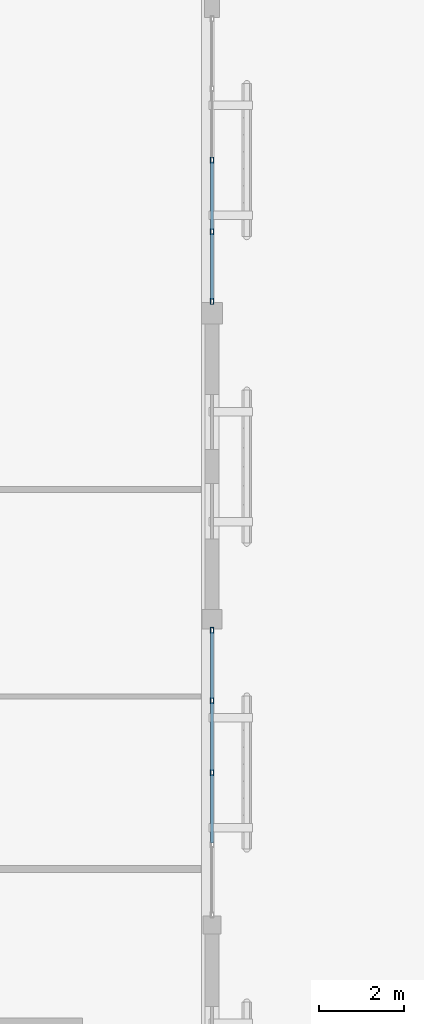
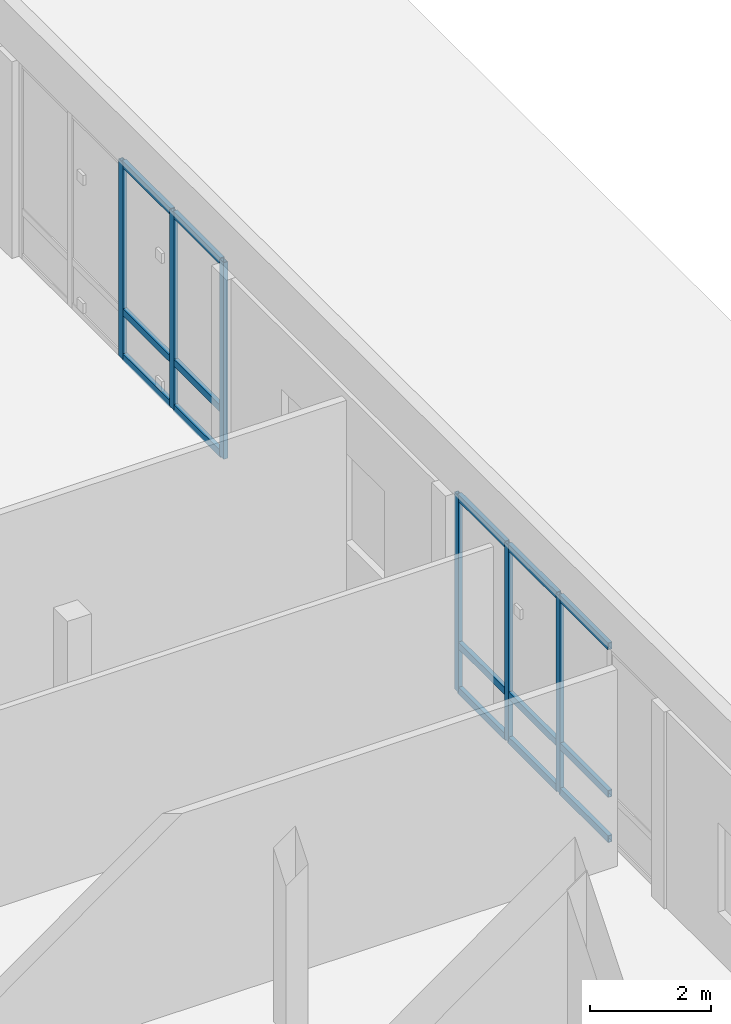
# One storey, part 3 of 11: 21 members, 2 elements without a shape of their own.
"""IFC4 building model written with IfcOpenShell, lengths in metres."""

from ifc_helpers import new_model, si_unit, direction, frame, origin, origin_2d, place, context, subcontext, project, spatial, hollow_rectangle, extrude, material, layer, layer_set, material_profile, profile_set, type_object, element, aggregate, save


model = new_model("IFC4")

# Units and contexts
model_context = context("Model", 3, precision=1e-05, world=origin(), true_north=direction((0.0, 1.0)))
body_context = subcontext(model_context, "Body", "Model", "MODEL_VIEW")
ifc_project = project(units=[si_unit("LENGTHUNIT", "METRE"), si_unit("AREAUNIT", "SQUARE_METRE"), si_unit("VOLUMEUNIT", "CUBIC_METRE"), si_unit("PLANEANGLEUNIT", "RADIAN"), si_unit("MASSUNIT", "GRAM", prefix="KILO")], contexts=[model_context])

# Site, building, storey
site_placement = place(None, origin())
site = spatial("IfcSite", under=ifc_project, at=site_placement, CompositionType="ELEMENT")
building_placement = place(site_placement, origin())
building = spatial("IfcBuilding", under=site, at=building_placement, Name="Mazaris Harbour Polytechnic", CompositionType="ELEMENT")
storey_placement = place(building_placement, frame((0.0, 0.0, 22.199951171875)))
storey = spatial("IfcBuildingStorey", under=building, at=storey_placement, Name="L05", CompositionType="ELEMENT", Elevation=22.199951171875)

# Curtain wall, members
ifc_material_1 = material(Name="Anodised Bronze Aluminium and Low-E Glass", Category="aluminium")
ifc_layer = layer(ifc_material_1, 0.159912109375, Name="Anodised Bronze Aluminium and Low-E Glass")
ifc_layer_set = layer_set([ifc_layer], Name="Anodised Bronze Aluminium and Low-E Glass")
curtain_wall_type = type_object("IfcCurtainWallType", Name="Cloister Court Curtain Wall", PredefinedType="NOTDEFINED", material=ifc_layer_set)
curtain_wall_1_placement = place(storey_placement, origin())
curtain_wall_1 = element("IfcCurtainWall", 1, at=curtain_wall_1_placement, inside=storey, type_object=curtain_wall_type, Name="V4 L05 Curtain Wall 180", PredefinedType="NOTDEFINED")
ifc_material_2 = material(Name="Anodised Bronze Steel S355", Category="steel")
ifc_material_profile_1 = material_profile(ifc_material_2, hollow_rectangle(XDim=0.080078125, YDim=0.139892578125, WallThickness=0.00634765625, at=origin_2d()), Name="RHS 80x140x6.3")
ifc_profile_set_1 = profile_set([ifc_material_profile_1], Name="Anodised Bronze Steel S355")
member_type_1 = type_object("IfcMemberType", Name="Curtain Mullion RHS80x140", PredefinedType="MULLION", material=ifc_profile_set_1)
member_1_placement = place(storey_placement, frame((36.0, 28.5380859375, 0.0), z_axis=(0.0, 0.0, 1.0), x_axis=(1.0, 0.0, 0.0)))
member_1 = element("IfcMember", 2, at=member_1_placement, type_object=member_type_1, Name="CW-02 mullion 1", PredefinedType="MULLION", context=body_context, shape_type="SweptSolid", body=[
    extrude(hollow_rectangle(XDim=0.080078125, YDim=0.139892578125, WallThickness=0.00634765625, at=origin_2d()), origin(), (0.0, 0.0, 1.0), 3.9599609375),
])
member_2_placement = place(storey_placement, frame((36.0, 26.884033203125, 0.0), z_axis=(0.0, 0.0, 1.0), x_axis=(1.0, 0.0, 0.0)))
member_2 = element("IfcMember", 3, at=member_2_placement, type_object=member_type_1, Name="CW-02 mullion 2", PredefinedType="MULLION", context=body_context, shape_type="SweptSolid", body=[
    extrude(hollow_rectangle(XDim=0.080078125, YDim=0.139892578125, WallThickness=0.00634765625, at=origin_2d()), origin(), (0.0, 0.0, 1.0), 3.9599609375),
])
member_3_placement = place(storey_placement, frame((36.0, 25.18994140625, 0.0), z_axis=(0.0, 0.0, 1.0), x_axis=(1.0, 0.0, 0.0)))
member_3 = element("IfcMember", 4, at=member_3_placement, type_object=member_type_1, Name="CW-02 mullion 3", PredefinedType="MULLION", context=body_context, shape_type="SweptSolid", body=[
    extrude(hollow_rectangle(XDim=0.080078125, YDim=0.139892578125, WallThickness=0.00634765625, at=origin_2d()), origin(), (0.0, 0.0, 1.0), 3.9599609375),
])

curtain_wall_2_placement = place(storey_placement, origin())
curtain_wall_2 = element("IfcCurtainWall", 5, at=curtain_wall_2_placement, inside=storey, type_object=curtain_wall_type, Name="V4 L05 Curtain Wall 181", PredefinedType="NOTDEFINED")
member_4_placement = place(storey_placement, frame((36.0, 39.60498046875, 0.0), z_axis=(0.0, 0.0, 1.0), x_axis=(1.0, 0.0, 0.0)))
member_4 = element("IfcMember", 6, at=member_4_placement, type_object=member_type_1, Name="CW-02 mullion 3", PredefinedType="MULLION", context=body_context, shape_type="SweptSolid", body=[
    extrude(hollow_rectangle(XDim=0.080078125, YDim=0.139892578125, WallThickness=0.00634765625, at=origin_2d()), origin(), (0.0, 0.0, 1.0), 3.9599609375),
])
member_5_placement = place(storey_placement, frame((36.0, 37.923583984375, 0.0), z_axis=(0.0, 0.0, 1.0), x_axis=(1.0, 0.0, 0.0)))
member_5 = element("IfcMember", 7, at=member_5_placement, type_object=member_type_1, Name="CW-02 mullion 4", PredefinedType="MULLION", context=body_context, shape_type="SweptSolid", body=[
    extrude(hollow_rectangle(XDim=0.080078125, YDim=0.139892578125, WallThickness=0.00634765625, at=origin_2d()), origin(), (0.0, 0.0, 1.0), 3.9599609375),
])
member_6_placement = place(storey_placement, frame((36.0, 36.281982421875, 0.0), z_axis=(0.0, 0.0, 1.0), x_axis=(1.0, 0.0, 0.0)))
member_6 = element("IfcMember", 8, at=member_6_placement, type_object=member_type_1, Name="CW-02 mullion 5", PredefinedType="MULLION", context=body_context, shape_type="SweptSolid", body=[
    extrude(hollow_rectangle(XDim=0.080078125, YDim=0.139892578125, WallThickness=0.00634765625, at=origin_2d()), origin(), (0.0, 0.0, 1.0), 3.9599609375),
])

# Member
ifc_material_3 = material(Name="Anodised Bronze Steel S355", Category="steel")
ifc_material_profile_2 = material_profile(ifc_material_3, hollow_rectangle(XDim=0.080078125, YDim=0.139892578125, WallThickness=0.00634765625, at=origin_2d()), Name="RHS 80x140x6.3")
ifc_profile_set_2 = profile_set([ifc_material_profile_2], Name="Anodised Bronze Steel S355")
member_type_2 = type_object("IfcMemberType", Name="Curtain Transom RHS80x140", PredefinedType="USERDEFINED", material=ifc_profile_set_2)
member_7_placement = place(storey_placement, frame((36.0, 28.498046875, 0.0400390625), z_axis=(0.0, -1.0, 0.0), x_axis=(1.0, 0.0, 0.0)))
member_7 = element("IfcMember", 9, at=member_7_placement, type_object=member_type_2, Name="CW-02 transom 1.1", ObjectType="TRANSOM", PredefinedType="USERDEFINED", context=body_context, shape_type="SweptSolid", body=[
    extrude(hollow_rectangle(XDim=0.080078125, YDim=0.139892578125, WallThickness=0.00634765625, at=origin_2d()), origin(), (0.0, 0.0, 1.0), 1.573974609375),
])

member_8_placement = place(storey_placement, frame((36.0, 28.498046875, 0.949951171875), z_axis=(0.0, -1.0, 0.0), x_axis=(1.0, 0.0, 0.0)))
member_8 = element("IfcMember", 10, at=member_8_placement, type_object=member_type_2, Name="CW-02 transom 1.2", ObjectType="TRANSOM", PredefinedType="USERDEFINED", context=body_context, shape_type="SweptSolid", body=[
    extrude(hollow_rectangle(XDim=0.080078125, YDim=0.139892578125, WallThickness=0.00634765625, at=origin_2d()), origin(), (0.0, 0.0, 1.0), 1.573974609375),
])

member_9_placement = place(storey_placement, frame((36.0, 28.498046875, 3.920166015625), z_axis=(0.0, -1.0, 0.0), x_axis=(1.0, 0.0, 0.0)))
member_9 = element("IfcMember", 11, at=member_9_placement, type_object=member_type_2, Name="CW-02 transom 1.3", ObjectType="TRANSOM", PredefinedType="USERDEFINED", context=body_context, shape_type="SweptSolid", body=[
    extrude(hollow_rectangle(XDim=0.080078125, YDim=0.139892578125, WallThickness=0.00634765625, at=origin_2d()), origin(), (0.0, 0.0, 1.0), 1.573974609375),
])

member_10_placement = place(storey_placement, frame((36.0, 26.843994140625, 0.0400390625), z_axis=(0.0, -1.0, 0.0), x_axis=(1.0, 0.0, 0.0)))
member_10 = element("IfcMember", 12, at=member_10_placement, type_object=member_type_2, Name="CW-02 transom 2.1", ObjectType="TRANSOM", PredefinedType="USERDEFINED", context=body_context, shape_type="SweptSolid", body=[
    extrude(hollow_rectangle(XDim=0.080078125, YDim=0.139892578125, WallThickness=0.00634765625, at=origin_2d()), origin(), (0.0, 0.0, 1.0), 1.614013671875),
])

member_11_placement = place(storey_placement, frame((36.0, 26.843994140625, 0.949951171875), z_axis=(0.0, -1.0, 0.0), x_axis=(1.0, 0.0, 0.0)))
member_11 = element("IfcMember", 13, at=member_11_placement, type_object=member_type_2, Name="CW-02 transom 2.2", ObjectType="TRANSOM", PredefinedType="USERDEFINED", context=body_context, shape_type="SweptSolid", body=[
    extrude(hollow_rectangle(XDim=0.080078125, YDim=0.139892578125, WallThickness=0.00634765625, at=origin_2d()), origin(), (0.0, 0.0, 1.0), 1.614013671875),
])

member_12_placement = place(storey_placement, frame((36.0, 26.843994140625, 3.920166015625), z_axis=(0.0, -1.0, 0.0), x_axis=(1.0, 0.0, 0.0)))
member_12 = element("IfcMember", 14, at=member_12_placement, type_object=member_type_2, Name="CW-02 transom 2.3", ObjectType="TRANSOM", PredefinedType="USERDEFINED", context=body_context, shape_type="SweptSolid", body=[
    extrude(hollow_rectangle(XDim=0.080078125, YDim=0.139892578125, WallThickness=0.00634765625, at=origin_2d()), origin(), (0.0, 0.0, 1.0), 1.614013671875),
])

member_13_placement = place(storey_placement, frame((36.0, 25.14990234375, 0.0400390625), z_axis=(0.0, -1.0, 0.0), x_axis=(1.0, 0.0, 0.0)))
member_13 = element("IfcMember", 15, at=member_13_placement, type_object=member_type_2, Name="CW-02 transom 3.1", ObjectType="TRANSOM", PredefinedType="USERDEFINED", context=body_context, shape_type="SweptSolid", body=[
    extrude(hollow_rectangle(XDim=0.080078125, YDim=0.139892578125, WallThickness=0.00634765625, at=origin_2d()), origin(), (0.0, 0.0, 1.0), 1.614013671875),
])

member_14_placement = place(storey_placement, frame((36.0, 25.14990234375, 0.949951171875), z_axis=(0.0, -1.0, 0.0), x_axis=(1.0, 0.0, 0.0)))
member_14 = element("IfcMember", 16, at=member_14_placement, type_object=member_type_2, Name="CW-02 transom 3.2", ObjectType="TRANSOM", PredefinedType="USERDEFINED", context=body_context, shape_type="SweptSolid", body=[
    extrude(hollow_rectangle(XDim=0.080078125, YDim=0.139892578125, WallThickness=0.00634765625, at=origin_2d()), origin(), (0.0, 0.0, 1.0), 1.614013671875),
])

member_15_placement = place(storey_placement, frame((36.0, 25.14990234375, 3.920166015625), z_axis=(0.0, -1.0, 0.0), x_axis=(1.0, 0.0, 0.0)))
member_15 = element("IfcMember", 17, at=member_15_placement, type_object=member_type_2, Name="CW-02 transom 3.3", ObjectType="TRANSOM", PredefinedType="USERDEFINED", context=body_context, shape_type="SweptSolid", body=[
    extrude(hollow_rectangle(XDim=0.080078125, YDim=0.139892578125, WallThickness=0.00634765625, at=origin_2d()), origin(), (0.0, 0.0, 1.0), 1.614013671875),
])

aggregate(curtain_wall_1, [member_1, member_2, member_3, member_7, member_8, member_9, member_10, member_11, member_12, member_13, member_14, member_15])

member_16_placement = place(storey_placement, frame((36.0, 39.56494140625, 0.0400390625), z_axis=(0.0, -1.0, 0.0), x_axis=(1.0, 0.0, 0.0)))
member_16 = element("IfcMember", 18, at=member_16_placement, type_object=member_type_2, Name="CW-02 transom 3.1", ObjectType="TRANSOM", PredefinedType="USERDEFINED", context=body_context, shape_type="SweptSolid", body=[
    extrude(hollow_rectangle(XDim=0.080078125, YDim=0.139892578125, WallThickness=0.00634765625, at=origin_2d()), origin(), (0.0, 0.0, 1.0), 1.6015625),
])

member_17_placement = place(storey_placement, frame((36.0, 39.56494140625, 0.949951171875), z_axis=(0.0, -1.0, 0.0), x_axis=(1.0, 0.0, 0.0)))
member_17 = element("IfcMember", 19, at=member_17_placement, type_object=member_type_2, Name="CW-02 transom 3.2", ObjectType="TRANSOM", PredefinedType="USERDEFINED", context=body_context, shape_type="SweptSolid", body=[
    extrude(hollow_rectangle(XDim=0.080078125, YDim=0.139892578125, WallThickness=0.00634765625, at=origin_2d()), origin(), (0.0, 0.0, 1.0), 1.6015625),
])

member_18_placement = place(storey_placement, frame((36.0, 39.56494140625, 3.920166015625), z_axis=(0.0, -1.0, 0.0), x_axis=(1.0, 0.0, 0.0)))
member_18 = element("IfcMember", 20, at=member_18_placement, type_object=member_type_2, Name="CW-02 transom 3.3", ObjectType="TRANSOM", PredefinedType="USERDEFINED", context=body_context, shape_type="SweptSolid", body=[
    extrude(hollow_rectangle(XDim=0.080078125, YDim=0.139892578125, WallThickness=0.00634765625, at=origin_2d()), origin(), (0.0, 0.0, 1.0), 1.6015625),
])

member_19_placement = place(storey_placement, frame((36.0, 37.883544921875, 0.0400390625), z_axis=(0.0, -1.0, 0.0), x_axis=(1.0, 0.0, 0.0)))
member_19 = element("IfcMember", 21, at=member_19_placement, type_object=member_type_2, Name="CW-02 transom 4.1", ObjectType="TRANSOM", PredefinedType="USERDEFINED", context=body_context, shape_type="SweptSolid", body=[
    extrude(hollow_rectangle(XDim=0.080078125, YDim=0.139892578125, WallThickness=0.00634765625, at=origin_2d()), origin(), (0.0, 0.0, 1.0), 1.5615234375),
])

member_20_placement = place(storey_placement, frame((36.0, 37.883544921875, 0.949951171875), z_axis=(0.0, -1.0, 0.0), x_axis=(1.0, 0.0, 0.0)))
member_20 = element("IfcMember", 22, at=member_20_placement, type_object=member_type_2, Name="CW-02 transom 4.2", ObjectType="TRANSOM", PredefinedType="USERDEFINED", context=body_context, shape_type="SweptSolid", body=[
    extrude(hollow_rectangle(XDim=0.080078125, YDim=0.139892578125, WallThickness=0.00634765625, at=origin_2d()), origin(), (0.0, 0.0, 1.0), 1.5615234375),
])

member_21_placement = place(storey_placement, frame((36.0, 37.883544921875, 3.920166015625), z_axis=(0.0, -1.0, 0.0), x_axis=(1.0, 0.0, 0.0)))
member_21 = element("IfcMember", 23, at=member_21_placement, type_object=member_type_2, Name="CW-02 transom 4.3", ObjectType="TRANSOM", PredefinedType="USERDEFINED", context=body_context, shape_type="SweptSolid", body=[
    extrude(hollow_rectangle(XDim=0.080078125, YDim=0.139892578125, WallThickness=0.00634765625, at=origin_2d()), origin(), (0.0, 0.0, 1.0), 1.5615234375),
])

aggregate(curtain_wall_2, [member_4, member_5, member_6, member_16, member_17, member_18, member_19, member_20, member_21])

save(model, "model.ifc")
